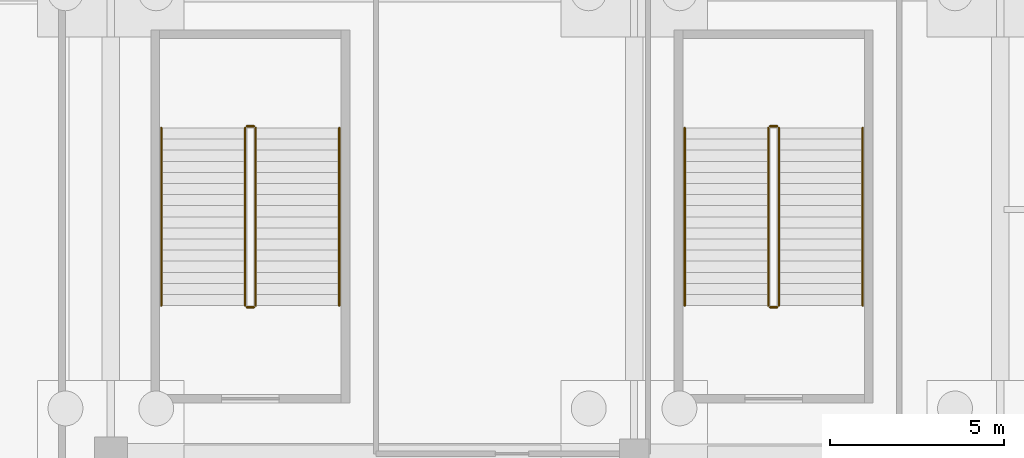
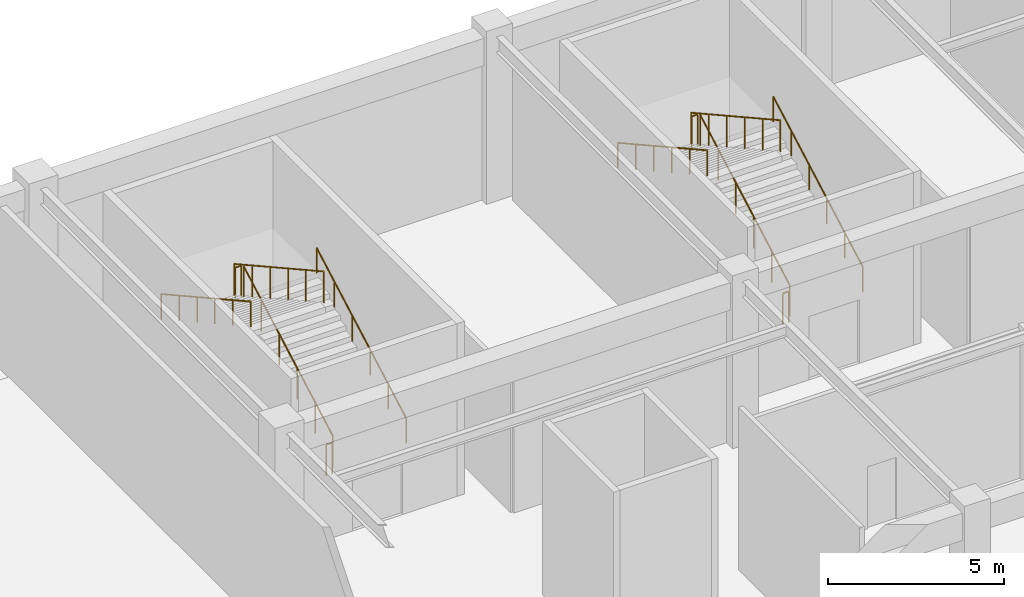
# One storey, part 118 of 121: 12 railings.
"""IFC4 building model written with IfcOpenShell, lengths in metres."""

from ifc_helpers import new_model, si_unit, direction, frame, origin, origin_2d, place, context, subcontext, project, spatial, circle, extrude, material, type_object, element, save


model = new_model("IFC4")

# Units and contexts
model_context = context("Model", 3, precision=1e-05, world=origin(), true_north=direction((0.0, 1.0)))
body_context = subcontext(model_context, "Body", "Model", "MODEL_VIEW")
ifc_project = project(units=[si_unit("LENGTHUNIT", "METRE"), si_unit("AREAUNIT", "SQUARE_METRE"), si_unit("VOLUMEUNIT", "CUBIC_METRE"), si_unit("PLANEANGLEUNIT", "RADIAN"), si_unit("MASSUNIT", "GRAM", prefix="KILO")], contexts=[model_context])

# Site, building, storey
site_placement = place(None, origin())
site = spatial("IfcSite", under=ifc_project, at=site_placement, CompositionType="ELEMENT")
building_placement = place(site_placement, origin())
building = spatial("IfcBuilding", under=site, at=building_placement, Name="Cuetzalor Civic Arena", CompositionType="ELEMENT")
storey_placement = place(building_placement, origin())
storey = spatial("IfcBuildingStorey", under=building, at=storey_placement, Name="L00", CompositionType="ELEMENT", Elevation=0.0)

# Railings
ifc_material_1 = material(Name="Reseda-green architectural Steel S355 balustrade", Category="steel")
railing_type_1 = type_object("IfcRailingType", Name="InteriorVoidBalustrade_1100", PredefinedType="BALUSTRADE", material=ifc_material_1)
railing_1_placement = place(storey_placement, frame((-31.85009765625, 65.75, 0.176513671875)))
element("IfcRailing", 1, at=railing_1_placement, inside=storey, type_object=railing_type_1, Name="L00 ST-24 stair guard 1", PredefinedType="BALUSTRADE", context=body_context, shape_type="SweptSolid", body=[
    extrude(circle(Radius=0.02392578125, at=origin_2d()), frame((0.0, 0.0, 1.0810546875), z_axis=(0.0, 0.874384777292, 0.485233202945), x_axis=(-1.0, 0.0, 0.0)), (0.0, 0.0, 1.0), 5.81884765625),
    extrude(circle(Radius=0.02099609375, at=origin_2d()), origin(), (0.0, 0.0, 1.0), 1.056884765625),
    extrude(circle(Radius=0.02099609375, at=origin_2d()), frame((0.0, 1.017578125, 0.564697265625)), (0.0, 0.0, 1.0), 1.056884765625),
    extrude(circle(Radius=0.02099609375, at=origin_2d()), frame((0.0, 2.03515625, 1.12939453125)), (0.0, 0.0, 1.0), 1.056884765625),
    extrude(circle(Radius=0.02099609375, at=origin_2d()), frame((0.0, 3.052734375, 1.694091796875)), (0.0, 0.0, 1.0), 1.056884765625),
    extrude(circle(Radius=0.02099609375, at=origin_2d()), frame((0.0, 4.0703125, 2.2587890625)), (0.0, 0.0, 1.0), 1.056884765625),
    extrude(circle(Radius=0.02099609375, at=origin_2d()), frame((0.0, 5.087890625, 2.823486328125)), (0.0, 0.0, 1.0), 1.056884765625),
])
railing_2_placement = place(storey_placement, frame((-31.89990234375, 70.887939453125, 3.0)))
element("IfcRailing", 2, at=railing_2_placement, inside=storey, type_object=railing_type_1, Name="L00 ST-24 stair guard 2", PredefinedType="BALUSTRADE", context=body_context, shape_type="SweptSolid", body=[
    extrude(circle(Radius=0.02392578125, at=origin_2d()), frame((0.0, 0.0, 1.0810546875), z_axis=(-1.0, 0.0, 0.0), x_axis=(0.0, -1.0, 0.0)), (0.0, 0.0, 1.0), 0.2001953125),
    extrude(circle(Radius=0.02099609375, at=origin_2d()), origin(), (0.0, 0.0, 1.0), 1.056884765625),
    extrude(circle(Radius=0.02099609375, at=origin_2d()), frame((-0.2001953125, 0.0, 0.0)), (0.0, 0.0, 1.0), 1.056884765625),
])
railing_3_placement = place(storey_placement, frame((-32.14990234375, 70.837890625, 3.176513671875)))
element("IfcRailing", 3, at=railing_3_placement, inside=storey, type_object=railing_type_1, Name="L00 ST-24 stair guard 3", PredefinedType="BALUSTRADE", context=body_context, shape_type="SweptSolid", body=[
    extrude(circle(Radius=0.02392578125, at=origin_2d()), frame((0.0, 0.0, 1.0810546875), z_axis=(0.0, -0.874384777292, 0.485233202945), x_axis=(1.0, 0.0, 0.0)), (0.0, 0.0, 1.0), 5.81884765625),
    extrude(circle(Radius=0.02099609375, at=origin_2d()), origin(), (0.0, 0.0, 1.0), 1.056884765625),
    extrude(circle(Radius=0.02099609375, at=origin_2d()), frame((0.0, -1.017578125, 0.564697265625)), (0.0, 0.0, 1.0), 1.056884765625),
    extrude(circle(Radius=0.02099609375, at=origin_2d()), frame((0.0, -2.03515625, 1.12939453125)), (0.0, 0.0, 1.0), 1.056884765625),
    extrude(circle(Radius=0.02099609375, at=origin_2d()), frame((0.0, -3.052734375, 1.694091796875)), (0.0, 0.0, 1.0), 1.056884765625),
    extrude(circle(Radius=0.02099609375, at=origin_2d()), frame((0.0, -4.0703125, 2.2587890625)), (0.0, 0.0, 1.0), 1.056884765625),
    extrude(circle(Radius=0.02099609375, at=origin_2d()), frame((0.0, -5.087890625, 2.823486328125)), (0.0, 0.0, 1.0), 1.056884765625),
])
railing_4_placement = place(storey_placement, frame((-31.89990234375, 65.699951171875, 0.0)))
element("IfcRailing", 4, at=railing_4_placement, inside=storey, type_object=railing_type_1, Name="L00 ST-24 stair guard 4", PredefinedType="BALUSTRADE", context=body_context, shape_type="SweptSolid", body=[
    extrude(circle(Radius=0.02392578125, at=origin_2d()), frame((0.0, 0.0, 1.0810546875), z_axis=(-1.0, 0.0, 0.0), x_axis=(0.0, -1.0, 0.0)), (0.0, 0.0, 1.0), 0.2001953125),
    extrude(circle(Radius=0.02099609375, at=origin_2d()), origin(), (0.0, 0.0, 1.0), 1.056884765625),
    extrude(circle(Radius=0.02099609375, at=origin_2d()), frame((-0.2001953125, 0.0, 0.0)), (0.0, 0.0, 1.0), 1.056884765625),
])
railing_5_placement = place(storey_placement, frame((-16.85009765625, 65.75, 0.176513671875)))
element("IfcRailing", 5, at=railing_5_placement, inside=storey, type_object=railing_type_1, Name="L00 ST-25 stair guard 1", PredefinedType="BALUSTRADE", context=body_context, shape_type="SweptSolid", body=[
    extrude(circle(Radius=0.02392578125, at=origin_2d()), frame((0.0, 0.0, 1.0810546875), z_axis=(0.0, 0.874384777292, 0.485233202945), x_axis=(-1.0, 0.0, 0.0)), (0.0, 0.0, 1.0), 5.81884765625),
    extrude(circle(Radius=0.02099609375, at=origin_2d()), origin(), (0.0, 0.0, 1.0), 1.056884765625),
    extrude(circle(Radius=0.02099609375, at=origin_2d()), frame((0.0, 1.017578125, 0.564697265625)), (0.0, 0.0, 1.0), 1.056884765625),
    extrude(circle(Radius=0.02099609375, at=origin_2d()), frame((0.0, 2.03515625, 1.12939453125)), (0.0, 0.0, 1.0), 1.056884765625),
    extrude(circle(Radius=0.02099609375, at=origin_2d()), frame((0.0, 3.052734375, 1.694091796875)), (0.0, 0.0, 1.0), 1.056884765625),
    extrude(circle(Radius=0.02099609375, at=origin_2d()), frame((0.0, 4.0703125, 2.2587890625)), (0.0, 0.0, 1.0), 1.056884765625),
    extrude(circle(Radius=0.02099609375, at=origin_2d()), frame((0.0, 5.087890625, 2.823486328125)), (0.0, 0.0, 1.0), 1.056884765625),
])
railing_6_placement = place(storey_placement, frame((-16.89990234375, 70.887939453125, 3.0)))
element("IfcRailing", 6, at=railing_6_placement, inside=storey, type_object=railing_type_1, Name="L00 ST-25 stair guard 2", PredefinedType="BALUSTRADE", context=body_context, shape_type="SweptSolid", body=[
    extrude(circle(Radius=0.02392578125, at=origin_2d()), frame((0.0, 0.0, 1.0810546875), z_axis=(-1.0, 0.0, 0.0), x_axis=(0.0, -1.0, 0.0)), (0.0, 0.0, 1.0), 0.2001953125),
    extrude(circle(Radius=0.02099609375, at=origin_2d()), origin(), (0.0, 0.0, 1.0), 1.056884765625),
    extrude(circle(Radius=0.02099609375, at=origin_2d()), frame((-0.2001953125, 0.0, 0.0)), (0.0, 0.0, 1.0), 1.056884765625),
])
railing_7_placement = place(storey_placement, frame((-17.14990234375, 70.837890625, 3.176513671875)))
element("IfcRailing", 7, at=railing_7_placement, inside=storey, type_object=railing_type_1, Name="L00 ST-25 stair guard 3", PredefinedType="BALUSTRADE", context=body_context, shape_type="SweptSolid", body=[
    extrude(circle(Radius=0.02392578125, at=origin_2d()), frame((0.0, 0.0, 1.0810546875), z_axis=(0.0, -0.874384777292, 0.485233202945), x_axis=(1.0, 0.0, 0.0)), (0.0, 0.0, 1.0), 5.81884765625),
    extrude(circle(Radius=0.02099609375, at=origin_2d()), origin(), (0.0, 0.0, 1.0), 1.056884765625),
    extrude(circle(Radius=0.02099609375, at=origin_2d()), frame((0.0, -1.017578125, 0.564697265625)), (0.0, 0.0, 1.0), 1.056884765625),
    extrude(circle(Radius=0.02099609375, at=origin_2d()), frame((0.0, -2.03515625, 1.12939453125)), (0.0, 0.0, 1.0), 1.056884765625),
    extrude(circle(Radius=0.02099609375, at=origin_2d()), frame((0.0, -3.052734375, 1.694091796875)), (0.0, 0.0, 1.0), 1.056884765625),
    extrude(circle(Radius=0.02099609375, at=origin_2d()), frame((0.0, -4.0703125, 2.2587890625)), (0.0, 0.0, 1.0), 1.056884765625),
    extrude(circle(Radius=0.02099609375, at=origin_2d()), frame((0.0, -5.087890625, 2.823486328125)), (0.0, 0.0, 1.0), 1.056884765625),
])
railing_8_placement = place(storey_placement, frame((-16.89990234375, 65.699951171875, 0.0)))
element("IfcRailing", 8, at=railing_8_placement, inside=storey, type_object=railing_type_1, Name="L00 ST-25 stair guard 4", PredefinedType="BALUSTRADE", context=body_context, shape_type="SweptSolid", body=[
    extrude(circle(Radius=0.02392578125, at=origin_2d()), frame((0.0, 0.0, 1.0810546875), z_axis=(-1.0, 0.0, 0.0), x_axis=(0.0, -1.0, 0.0)), (0.0, 0.0, 1.0), 0.2001953125),
    extrude(circle(Radius=0.02099609375, at=origin_2d()), origin(), (0.0, 0.0, 1.0), 1.056884765625),
    extrude(circle(Radius=0.02099609375, at=origin_2d()), frame((-0.2001953125, 0.0, 0.0)), (0.0, 0.0, 1.0), 1.056884765625),
])
ifc_material_2 = material(Name="Galvanised steel S355", Category="steel")
railing_type_2 = type_object("IfcRailingType", Name="StairPitchHandrail_900", PredefinedType="HANDRAIL", material=ifc_material_2)
railing_9_placement = place(storey_placement, frame((-29.449951171875, 65.75, 0.176513671875)))
element("IfcRailing", 9, at=railing_9_placement, inside=storey, type_object=railing_type_2, Name="L00 ST-24 stair handrail 1", PredefinedType="HANDRAIL", context=body_context, shape_type="SweptSolid", body=[
    extrude(circle(Radius=0.02392578125, at=origin_2d()), frame((0.0, 0.0, 0.8759765625), z_axis=(0.0, 0.874384777292, 0.485233202945), x_axis=(-1.0, 0.0, 0.0)), (0.0, 0.0, 1.0), 5.81884765625),
    extrude(circle(Radius=0.02099609375, at=origin_2d()), origin(), (0.0, 0.0, 1.0), 0.851806640625),
    extrude(circle(Radius=0.02099609375, at=origin_2d()), frame((0.0, 1.017578125, 0.564697265625)), (0.0, 0.0, 1.0), 0.851806640625),
    extrude(circle(Radius=0.02099609375, at=origin_2d()), frame((0.0, 2.03515625, 1.12939453125)), (0.0, 0.0, 1.0), 0.851806640625),
    extrude(circle(Radius=0.02099609375, at=origin_2d()), frame((0.0, 3.052734375, 1.694091796875)), (0.0, 0.0, 1.0), 0.851806640625),
    extrude(circle(Radius=0.02099609375, at=origin_2d()), frame((0.0, 4.0703125, 2.2587890625)), (0.0, 0.0, 1.0), 0.851806640625),
    extrude(circle(Radius=0.02099609375, at=origin_2d()), frame((0.0, 5.087890625, 2.823486328125)), (0.0, 0.0, 1.0), 0.851806640625),
])
railing_10_placement = place(storey_placement, frame((-34.550048828125, 70.837890625, 3.176513671875)))
element("IfcRailing", 10, at=railing_10_placement, inside=storey, type_object=railing_type_2, Name="L00 ST-24 stair handrail 2", PredefinedType="HANDRAIL", context=body_context, shape_type="SweptSolid", body=[
    extrude(circle(Radius=0.02392578125, at=origin_2d()), frame((0.0, 0.0, 0.8759765625), z_axis=(0.0, -0.874384777292, 0.485233202945), x_axis=(1.0, 0.0, 0.0)), (0.0, 0.0, 1.0), 5.81884765625),
    extrude(circle(Radius=0.02099609375, at=origin_2d()), origin(), (0.0, 0.0, 1.0), 0.851806640625),
    extrude(circle(Radius=0.02099609375, at=origin_2d()), frame((0.0, -1.017578125, 0.564697265625)), (0.0, 0.0, 1.0), 0.851806640625),
    extrude(circle(Radius=0.02099609375, at=origin_2d()), frame((0.0, -2.03515625, 1.12939453125)), (0.0, 0.0, 1.0), 0.851806640625),
    extrude(circle(Radius=0.02099609375, at=origin_2d()), frame((0.0, -3.052734375, 1.694091796875)), (0.0, 0.0, 1.0), 0.851806640625),
    extrude(circle(Radius=0.02099609375, at=origin_2d()), frame((0.0, -4.0703125, 2.2587890625)), (0.0, 0.0, 1.0), 0.851806640625),
    extrude(circle(Radius=0.02099609375, at=origin_2d()), frame((0.0, -5.087890625, 2.823486328125)), (0.0, 0.0, 1.0), 0.851806640625),
])
railing_11_placement = place(storey_placement, frame((-14.449951171875, 65.75, 0.176513671875)))
element("IfcRailing", 11, at=railing_11_placement, inside=storey, type_object=railing_type_2, Name="L00 ST-25 stair handrail 1", PredefinedType="HANDRAIL", context=body_context, shape_type="SweptSolid", body=[
    extrude(circle(Radius=0.02392578125, at=origin_2d()), frame((0.0, 0.0, 0.8759765625), z_axis=(0.0, 0.874384777292, 0.485233202945), x_axis=(-1.0, 0.0, 0.0)), (0.0, 0.0, 1.0), 5.81884765625),
    extrude(circle(Radius=0.02099609375, at=origin_2d()), origin(), (0.0, 0.0, 1.0), 0.851806640625),
    extrude(circle(Radius=0.02099609375, at=origin_2d()), frame((0.0, 1.017578125, 0.564697265625)), (0.0, 0.0, 1.0), 0.851806640625),
    extrude(circle(Radius=0.02099609375, at=origin_2d()), frame((0.0, 2.03515625, 1.12939453125)), (0.0, 0.0, 1.0), 0.851806640625),
    extrude(circle(Radius=0.02099609375, at=origin_2d()), frame((0.0, 3.052734375, 1.694091796875)), (0.0, 0.0, 1.0), 0.851806640625),
    extrude(circle(Radius=0.02099609375, at=origin_2d()), frame((0.0, 4.0703125, 2.2587890625)), (0.0, 0.0, 1.0), 0.851806640625),
    extrude(circle(Radius=0.02099609375, at=origin_2d()), frame((0.0, 5.087890625, 2.823486328125)), (0.0, 0.0, 1.0), 0.851806640625),
])
railing_12_placement = place(storey_placement, frame((-19.550048828125, 70.837890625, 3.176513671875)))
element("IfcRailing", 12, at=railing_12_placement, inside=storey, type_object=railing_type_2, Name="L00 ST-25 stair handrail 2", PredefinedType="HANDRAIL", context=body_context, shape_type="SweptSolid", body=[
    extrude(circle(Radius=0.02392578125, at=origin_2d()), frame((0.0, 0.0, 0.8759765625), z_axis=(0.0, -0.874384777292, 0.485233202945), x_axis=(1.0, 0.0, 0.0)), (0.0, 0.0, 1.0), 5.81884765625),
    extrude(circle(Radius=0.02099609375, at=origin_2d()), origin(), (0.0, 0.0, 1.0), 0.851806640625),
    extrude(circle(Radius=0.02099609375, at=origin_2d()), frame((0.0, -1.017578125, 0.564697265625)), (0.0, 0.0, 1.0), 0.851806640625),
    extrude(circle(Radius=0.02099609375, at=origin_2d()), frame((0.0, -2.03515625, 1.12939453125)), (0.0, 0.0, 1.0), 0.851806640625),
    extrude(circle(Radius=0.02099609375, at=origin_2d()), frame((0.0, -3.052734375, 1.694091796875)), (0.0, 0.0, 1.0), 0.851806640625),
    extrude(circle(Radius=0.02099609375, at=origin_2d()), frame((0.0, -4.0703125, 2.2587890625)), (0.0, 0.0, 1.0), 0.851806640625),
    extrude(circle(Radius=0.02099609375, at=origin_2d()), frame((0.0, -5.087890625, 2.823486328125)), (0.0, 0.0, 1.0), 0.851806640625),
])

save(model, "model.ifc")
